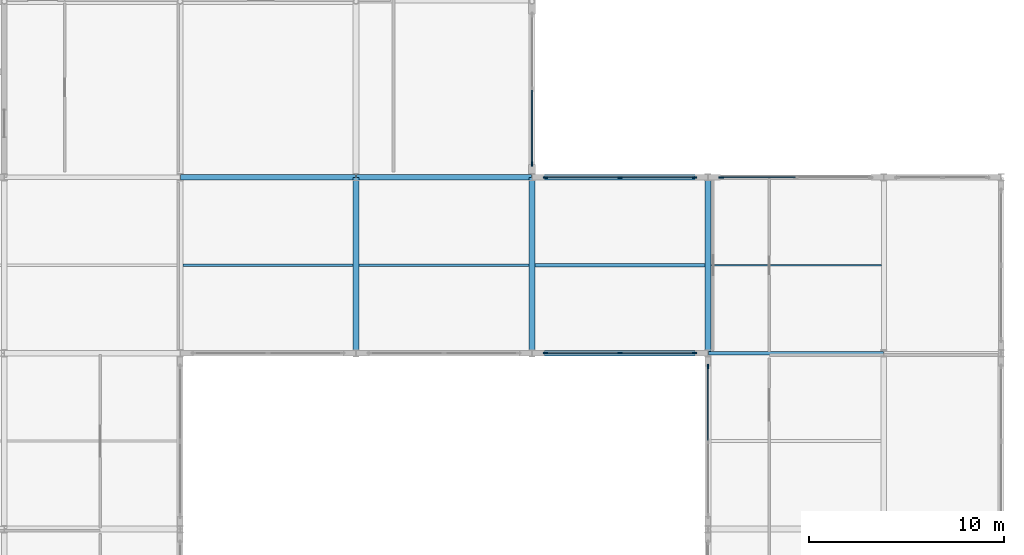
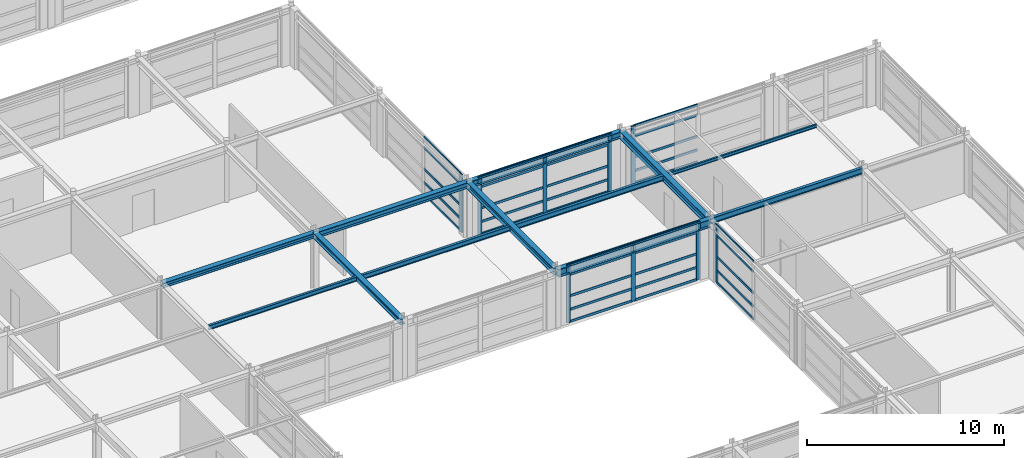
# One storey, part 44 of 79: 44 members, 12 beams, 5 elements without a shape of their own.
"""IFC4 building model written with IfcOpenShell, lengths in metres."""

from ifc_helpers import new_model, si_unit, direction, frame, origin, origin_2d, place, context, subcontext, project, spatial, rectangle, i_section, extrude, material, material_profile, profile_set, type_object, element, aggregate, save


model = new_model("IFC4")

# Units and contexts
model_context = context("Model", 3, precision=1e-05, world=origin(), true_north=direction((0.0, 1.0)))
body_context = subcontext(model_context, "Body", "Model", "MODEL_VIEW")
ifc_project = project(units=[si_unit("LENGTHUNIT", "METRE"), si_unit("AREAUNIT", "SQUARE_METRE"), si_unit("VOLUMEUNIT", "CUBIC_METRE"), si_unit("PLANEANGLEUNIT", "RADIAN"), si_unit("MASSUNIT", "GRAM", prefix="KILO")], contexts=[model_context])

# Site, building, storey
site_placement = place(None, origin())
site = spatial("IfcSite", under=ifc_project, at=site_placement, CompositionType="ELEMENT")
building_placement = place(site_placement, origin())
building = spatial("IfcBuilding", under=site, at=building_placement, Name="Palais des Congres Ocreval", CompositionType="ELEMENT")
storey_placement = place(building_placement, frame((0.0, 0.0, 4.320068359375)))
storey = spatial("IfcBuildingStorey", under=building, at=storey_placement, Name="L01", CompositionType="ELEMENT", Elevation=4.320068359375)

# Beam
ifc_material_1 = material(Name="Steel S355", Category="steel")
ifc_material_profile_1 = material_profile(ifc_material_1, i_section(OverallWidth=0.169921875, OverallDepth=0.360107421875, WebThickness=0.008056640625, FlangeThickness=0.0126953125, at=origin_2d()), Name="IPE 360")
ifc_profile_set_1 = profile_set([ifc_material_profile_1], Name="Steel S355")
beam_type_1 = type_object("IfcBeamType", Name="Composite Beam IPE 360 Steel S355", PredefinedType="BEAM", material=ifc_profile_set_1)
beam_1_placement = place(storey_placement, frame((153.02001953125, 36.0, 3.39990234375), z_axis=(1.0, 0.0, 0.0), x_axis=(0.0, 1.0, 0.0)))
element("IfcBeam", 1, at=beam_1_placement, inside=storey, type_object=beam_type_1, Name="Beam B01 L01", PredefinedType="BEAM", context=body_context, shape_type="SweptSolid", body=[
    extrude(i_section(OverallWidth=0.169921875, OverallDepth=0.360107421875, WebThickness=0.008056640625, FlangeThickness=0.0126953125, at=origin_2d()), origin(), (0.0, 0.0, 1.0), 8.9599609375),
])

# Curtain wall, member
ifc_material_2 = material(Name="Anodized bronze aluminium and low-E glass", Category="glass")
curtain_wall_type = type_object("IfcCurtainWallType", Name="Unitised Curtain Wall 7900x3660", PredefinedType="USERDEFINED", material=ifc_material_2)
curtain_wall_1_placement = place(storey_placement, origin())
curtain_wall_1 = element("IfcCurtainWall", 2, at=curtain_wall_1_placement, inside=storey, type_object=curtain_wall_type, Name="Unitised Curtain Wall CW02 L01", ObjectType="UNITISED CURTAIN WALL", PredefinedType="USERDEFINED")
ifc_material_3 = material(Name="Anodized bronze aluminium", Category="aluminium")
ifc_material_profile_2 = material_profile(ifc_material_3, rectangle(XDim=0.074951171875, YDim=0.239990234375, at=origin_2d()), Name="ALU 75x240")
ifc_profile_set_2 = profile_set([ifc_material_profile_2], Name="Anodized bronze aluminium")
member_type_1 = type_object("IfcMemberType", Name="Curtain Wall Mullion ALU 75x240", PredefinedType="MULLION", material=ifc_profile_set_2)
member_1_placement = place(storey_placement, frame((144.0, 45.6875, 0.0), z_axis=(0.0, 0.0, 1.0), x_axis=(1.0, 0.0, 0.0)))
member_1 = element("IfcMember", 3, at=member_1_placement, type_object=member_type_1, Name="Curtain Wall Mullion ML01", PredefinedType="MULLION", context=body_context, shape_type="SweptSolid", body=[
    extrude(rectangle(XDim=0.074951171875, YDim=0.239990234375, at=origin_2d()), origin(), (0.0, 0.0, 1.0), 3.58984375),
])

# Curtain wall, members
curtain_wall_2_placement = place(storey_placement, origin())
curtain_wall_2 = element("IfcCurtainWall", 4, at=curtain_wall_2_placement, inside=storey, type_object=curtain_wall_type, Name="Unitised Curtain Wall CW02 L01", ObjectType="UNITISED CURTAIN WALL", PredefinedType="USERDEFINED")
member_2_placement = place(storey_placement, frame((144.6875, 45.0, 0.0), z_axis=(0.0, 0.0, 1.0), x_axis=(0.0, 1.0, 0.0)))
member_2 = element("IfcMember", 5, at=member_2_placement, type_object=member_type_1, Name="Curtain Wall Mullion ML01", PredefinedType="MULLION", context=body_context, shape_type="SweptSolid", body=[
    extrude(rectangle(XDim=0.074951171875, YDim=0.239990234375, at=origin_2d()), origin(), (0.0, 0.0, 1.0), 3.599853515625),
])
member_3_placement = place(storey_placement, frame((148.5, 45.0, 0.0), z_axis=(0.0, 0.0, 1.0), x_axis=(0.0, 1.0, 0.0)))
member_3 = element("IfcMember", 6, at=member_3_placement, type_object=member_type_1, Name="Curtain Wall Mullion ML01", PredefinedType="MULLION", context=body_context, shape_type="SweptSolid", body=[
    extrude(rectangle(XDim=0.074951171875, YDim=0.239990234375, at=origin_2d()), origin(), (0.0, 0.0, 1.0), 3.599853515625),
])
member_4_placement = place(storey_placement, frame((152.3125, 45.0, 0.0), z_axis=(0.0, 0.0, 1.0), x_axis=(0.0, 1.0, 0.0)))
member_4 = element("IfcMember", 7, at=member_4_placement, type_object=member_type_1, Name="Curtain Wall Mullion ML01", PredefinedType="MULLION", context=body_context, shape_type="SweptSolid", body=[
    extrude(rectangle(XDim=0.074951171875, YDim=0.239990234375, at=origin_2d()), origin(), (0.0, 0.0, 1.0), 3.599853515625),
])

# Curtain wall, member
curtain_wall_3_placement = place(storey_placement, origin())
curtain_wall_3 = element("IfcCurtainWall", 8, at=curtain_wall_3_placement, inside=storey, type_object=curtain_wall_type, Name="Unitised Curtain Wall CW02 L01", ObjectType="UNITISED CURTAIN WALL", PredefinedType="USERDEFINED")
member_5_placement = place(storey_placement, frame((153.6875, 45.0, 0.0), z_axis=(0.0, 0.0, 1.0), x_axis=(0.0, 1.0, 0.0)))
member_5 = element("IfcMember", 9, at=member_5_placement, type_object=member_type_1, Name="Curtain Wall Mullion ML01", PredefinedType="MULLION", context=body_context, shape_type="SweptSolid", body=[
    extrude(rectangle(XDim=0.074951171875, YDim=0.239990234375, at=origin_2d()), origin(), (0.0, 0.0, 1.0), 3.599853515625),
])

curtain_wall_4_placement = place(storey_placement, origin())
curtain_wall_4 = element("IfcCurtainWall", 10, at=curtain_wall_4_placement, inside=storey, type_object=curtain_wall_type, Name="Unitised Curtain Wall CW02 L01", ObjectType="UNITISED CURTAIN WALL", PredefinedType="USERDEFINED")
member_6_placement = place(storey_placement, frame((153.0, 35.3125, 0.0), z_axis=(0.0, 0.0, 1.0), x_axis=(-1.0, 0.0, 0.0)))
member_6 = element("IfcMember", 11, at=member_6_placement, type_object=member_type_1, Name="Curtain Wall Mullion ML01", PredefinedType="MULLION", context=body_context, shape_type="SweptSolid", body=[
    extrude(rectangle(XDim=0.074951171875, YDim=0.239990234375, at=origin_2d()), origin(), (0.0, 0.0, 1.0), 3.599853515625),
])

# Curtain wall, members
curtain_wall_5_placement = place(storey_placement, origin())
curtain_wall_5 = element("IfcCurtainWall", 12, at=curtain_wall_5_placement, inside=storey, type_object=curtain_wall_type, Name="Unitised Curtain Wall CW02 L01", ObjectType="UNITISED CURTAIN WALL", PredefinedType="USERDEFINED")
member_7_placement = place(storey_placement, frame((152.3125, 36.0, 0.0), z_axis=(0.0, 0.0, 1.0), x_axis=(0.0, -1.0, 0.0)))
member_7 = element("IfcMember", 13, at=member_7_placement, type_object=member_type_1, Name="Curtain Wall Mullion ML01", PredefinedType="MULLION", context=body_context, shape_type="SweptSolid", body=[
    extrude(rectangle(XDim=0.074951171875, YDim=0.239990234375, at=origin_2d()), origin(), (0.0, 0.0, 1.0), 3.599853515625),
])
member_8_placement = place(storey_placement, frame((148.5, 36.0, 0.0), z_axis=(0.0, 0.0, 1.0), x_axis=(0.0, -1.0, 0.0)))
member_8 = element("IfcMember", 14, at=member_8_placement, type_object=member_type_1, Name="Curtain Wall Mullion ML01", PredefinedType="MULLION", context=body_context, shape_type="SweptSolid", body=[
    extrude(rectangle(XDim=0.074951171875, YDim=0.239990234375, at=origin_2d()), origin(), (0.0, 0.0, 1.0), 3.599853515625),
])
member_9_placement = place(storey_placement, frame((144.6875, 36.0, 0.0), z_axis=(0.0, 0.0, 1.0), x_axis=(0.0, -1.0, 0.0)))
member_9 = element("IfcMember", 15, at=member_9_placement, type_object=member_type_1, Name="Curtain Wall Mullion ML01", PredefinedType="MULLION", context=body_context, shape_type="SweptSolid", body=[
    extrude(rectangle(XDim=0.074951171875, YDim=0.239990234375, at=origin_2d()), origin(), (0.0, 0.0, 1.0), 3.599853515625),
])

# Member
ifc_material_profile_3 = material_profile(ifc_material_3, rectangle(XDim=0.06005859375, YDim=0.14990234375, at=origin_2d()), Name="ALU 60x150")
ifc_profile_set_3 = profile_set([ifc_material_profile_3], Name="Anodized bronze aluminium")
member_type_2 = type_object("IfcMemberType", Name="Curtain Wall Transom ALU 60x150", PredefinedType="USERDEFINED", material=ifc_profile_set_3)
member_10_placement = place(storey_placement, frame((144.0, 49.46240234375, 0.030029296875), z_axis=(0.0, -1.0, 0.0), x_axis=(1.0, 0.0, 0.0)))
member_10 = element("IfcMember", 16, at=member_10_placement, type_object=member_type_2, Name="Curtain Wall Transom TR01", ObjectType="TRANSOM", PredefinedType="USERDEFINED", context=body_context, shape_type="SweptSolid", body=[
    extrude(rectangle(XDim=0.06005859375, YDim=0.14990234375, at=origin_2d()), origin(), (0.0, 0.0, 1.0), 3.7373046875),
])

member_11_placement = place(storey_placement, frame((144.0, 49.46240234375, 0.780029296875), z_axis=(0.0, -1.0, 0.0), x_axis=(1.0, 0.0, 0.0)))
member_11 = element("IfcMember", 17, at=member_11_placement, type_object=member_type_2, Name="Curtain Wall Transom TR01", ObjectType="TRANSOM", PredefinedType="USERDEFINED", context=body_context, shape_type="SweptSolid", body=[
    extrude(rectangle(XDim=0.06005859375, YDim=0.14990234375, at=origin_2d()), origin(), (0.0, 0.0, 1.0), 3.7373046875),
])

member_12_placement = place(storey_placement, frame((144.0, 49.46240234375, 1.616943359375), z_axis=(0.0, -1.0, 0.0), x_axis=(1.0, 0.0, 0.0)))
member_12 = element("IfcMember", 18, at=member_12_placement, type_object=member_type_2, Name="Curtain Wall Transom TR01", ObjectType="TRANSOM", PredefinedType="USERDEFINED", context=body_context, shape_type="SweptSolid", body=[
    extrude(rectangle(XDim=0.06005859375, YDim=0.14990234375, at=origin_2d()), origin(), (0.0, 0.0, 1.0), 3.7373046875),
])

member_13_placement = place(storey_placement, frame((144.0, 49.46240234375, 2.93994140625), z_axis=(0.0, -1.0, 0.0), x_axis=(1.0, 0.0, 0.0)))
member_13 = element("IfcMember", 19, at=member_13_placement, type_object=member_type_2, Name="Curtain Wall Transom TR01", ObjectType="TRANSOM", PredefinedType="USERDEFINED", context=body_context, shape_type="SweptSolid", body=[
    extrude(rectangle(XDim=0.06005859375, YDim=0.14990234375, at=origin_2d()), origin(), (0.0, 0.0, 1.0), 3.7373046875),
])

member_14_placement = place(storey_placement, frame((144.0, 49.46240234375, 3.559814453125), z_axis=(0.0, -1.0, 0.0), x_axis=(1.0, 0.0, 0.0)))
member_14 = element("IfcMember", 20, at=member_14_placement, type_object=member_type_2, Name="Curtain Wall Transom TR01", ObjectType="TRANSOM", PredefinedType="USERDEFINED", context=body_context, shape_type="SweptSolid", body=[
    extrude(rectangle(XDim=0.06005859375, YDim=0.14990234375, at=origin_2d()), origin(), (0.0, 0.0, 1.0), 3.7373046875),
])

aggregate(curtain_wall_1, [member_1, member_10, member_11, member_12, member_13, member_14])

member_15_placement = place(storey_placement, frame((144.72509765625, 45.0, 0.030029296875), z_axis=(1.0, 0.0, 0.0), x_axis=(0.0, 1.0, 0.0)))
member_15 = element("IfcMember", 21, at=member_15_placement, type_object=member_type_2, Name="Curtain Wall Transom TR01", ObjectType="TRANSOM", PredefinedType="USERDEFINED", context=body_context, shape_type="SweptSolid", body=[
    extrude(rectangle(XDim=0.06005859375, YDim=0.14990234375, at=origin_2d()), origin(), (0.0, 0.0, 1.0), 3.7373046875),
])

member_16_placement = place(storey_placement, frame((144.72509765625, 45.0, 0.780029296875), z_axis=(1.0, 0.0, 0.0), x_axis=(0.0, 1.0, 0.0)))
member_16 = element("IfcMember", 22, at=member_16_placement, type_object=member_type_2, Name="Curtain Wall Transom TR01", ObjectType="TRANSOM", PredefinedType="USERDEFINED", context=body_context, shape_type="SweptSolid", body=[
    extrude(rectangle(XDim=0.06005859375, YDim=0.14990234375, at=origin_2d()), origin(), (0.0, 0.0, 1.0), 3.7373046875),
])

member_17_placement = place(storey_placement, frame((144.72509765625, 45.0, 1.622314453125), z_axis=(1.0, 0.0, 0.0), x_axis=(0.0, 1.0, 0.0)))
member_17 = element("IfcMember", 23, at=member_17_placement, type_object=member_type_2, Name="Curtain Wall Transom TR01", ObjectType="TRANSOM", PredefinedType="USERDEFINED", context=body_context, shape_type="SweptSolid", body=[
    extrude(rectangle(XDim=0.06005859375, YDim=0.14990234375, at=origin_2d()), origin(), (0.0, 0.0, 1.0), 3.7373046875),
])

member_18_placement = place(storey_placement, frame((144.72509765625, 45.0, 2.949951171875), z_axis=(1.0, 0.0, 0.0), x_axis=(0.0, 1.0, 0.0)))
member_18 = element("IfcMember", 24, at=member_18_placement, type_object=member_type_2, Name="Curtain Wall Transom TR01", ObjectType="TRANSOM", PredefinedType="USERDEFINED", context=body_context, shape_type="SweptSolid", body=[
    extrude(rectangle(XDim=0.06005859375, YDim=0.14990234375, at=origin_2d()), origin(), (0.0, 0.0, 1.0), 3.7373046875),
])

member_19_placement = place(storey_placement, frame((144.72509765625, 45.0, 3.56982421875), z_axis=(1.0, 0.0, 0.0), x_axis=(0.0, 1.0, 0.0)))
member_19 = element("IfcMember", 25, at=member_19_placement, type_object=member_type_2, Name="Curtain Wall Transom TR01", ObjectType="TRANSOM", PredefinedType="USERDEFINED", context=body_context, shape_type="SweptSolid", body=[
    extrude(rectangle(XDim=0.06005859375, YDim=0.14990234375, at=origin_2d()), origin(), (0.0, 0.0, 1.0), 3.7373046875),
])

member_20_placement = place(storey_placement, frame((148.53759765625, 45.0, 0.030029296875), z_axis=(1.0, 0.0, 0.0), x_axis=(0.0, 1.0, 0.0)))
member_20 = element("IfcMember", 26, at=member_20_placement, type_object=member_type_2, Name="Curtain Wall Transom TR01", ObjectType="TRANSOM", PredefinedType="USERDEFINED", context=body_context, shape_type="SweptSolid", body=[
    extrude(rectangle(XDim=0.06005859375, YDim=0.14990234375, at=origin_2d()), origin(), (0.0, 0.0, 1.0), 3.7373046875),
])

member_21_placement = place(storey_placement, frame((148.53759765625, 45.0, 0.780029296875), z_axis=(1.0, 0.0, 0.0), x_axis=(0.0, 1.0, 0.0)))
member_21 = element("IfcMember", 27, at=member_21_placement, type_object=member_type_2, Name="Curtain Wall Transom TR01", ObjectType="TRANSOM", PredefinedType="USERDEFINED", context=body_context, shape_type="SweptSolid", body=[
    extrude(rectangle(XDim=0.06005859375, YDim=0.14990234375, at=origin_2d()), origin(), (0.0, 0.0, 1.0), 3.7373046875),
])

member_22_placement = place(storey_placement, frame((148.53759765625, 45.0, 1.622314453125), z_axis=(1.0, 0.0, 0.0), x_axis=(0.0, 1.0, 0.0)))
member_22 = element("IfcMember", 28, at=member_22_placement, type_object=member_type_2, Name="Curtain Wall Transom TR01", ObjectType="TRANSOM", PredefinedType="USERDEFINED", context=body_context, shape_type="SweptSolid", body=[
    extrude(rectangle(XDim=0.06005859375, YDim=0.14990234375, at=origin_2d()), origin(), (0.0, 0.0, 1.0), 3.7373046875),
])

member_23_placement = place(storey_placement, frame((148.53759765625, 45.0, 2.949951171875), z_axis=(1.0, 0.0, 0.0), x_axis=(0.0, 1.0, 0.0)))
member_23 = element("IfcMember", 29, at=member_23_placement, type_object=member_type_2, Name="Curtain Wall Transom TR01", ObjectType="TRANSOM", PredefinedType="USERDEFINED", context=body_context, shape_type="SweptSolid", body=[
    extrude(rectangle(XDim=0.06005859375, YDim=0.14990234375, at=origin_2d()), origin(), (0.0, 0.0, 1.0), 3.7373046875),
])

member_24_placement = place(storey_placement, frame((148.53759765625, 45.0, 3.56982421875), z_axis=(1.0, 0.0, 0.0), x_axis=(0.0, 1.0, 0.0)))
member_24 = element("IfcMember", 30, at=member_24_placement, type_object=member_type_2, Name="Curtain Wall Transom TR01", ObjectType="TRANSOM", PredefinedType="USERDEFINED", context=body_context, shape_type="SweptSolid", body=[
    extrude(rectangle(XDim=0.06005859375, YDim=0.14990234375, at=origin_2d()), origin(), (0.0, 0.0, 1.0), 3.7373046875),
])

aggregate(curtain_wall_2, [member_2, member_3, member_4, member_15, member_16, member_17, member_18, member_19, member_20, member_21, member_22, member_23, member_24])

member_25_placement = place(storey_placement, frame((153.72509765625, 45.0, 0.030029296875), z_axis=(1.0, 0.0, 0.0), x_axis=(0.0, 1.0, 0.0)))
member_25 = element("IfcMember", 31, at=member_25_placement, type_object=member_type_2, Name="Curtain Wall Transom TR01", ObjectType="TRANSOM", PredefinedType="USERDEFINED", context=body_context, shape_type="SweptSolid", body=[
    extrude(rectangle(XDim=0.06005859375, YDim=0.14990234375, at=origin_2d()), origin(), (0.0, 0.0, 1.0), 3.7373046875),
])

member_26_placement = place(storey_placement, frame((153.72509765625, 45.0, 0.780029296875), z_axis=(1.0, 0.0, 0.0), x_axis=(0.0, 1.0, 0.0)))
member_26 = element("IfcMember", 32, at=member_26_placement, type_object=member_type_2, Name="Curtain Wall Transom TR01", ObjectType="TRANSOM", PredefinedType="USERDEFINED", context=body_context, shape_type="SweptSolid", body=[
    extrude(rectangle(XDim=0.06005859375, YDim=0.14990234375, at=origin_2d()), origin(), (0.0, 0.0, 1.0), 3.7373046875),
])

member_27_placement = place(storey_placement, frame((153.72509765625, 45.0, 1.622314453125), z_axis=(1.0, 0.0, 0.0), x_axis=(0.0, 1.0, 0.0)))
member_27 = element("IfcMember", 33, at=member_27_placement, type_object=member_type_2, Name="Curtain Wall Transom TR01", ObjectType="TRANSOM", PredefinedType="USERDEFINED", context=body_context, shape_type="SweptSolid", body=[
    extrude(rectangle(XDim=0.06005859375, YDim=0.14990234375, at=origin_2d()), origin(), (0.0, 0.0, 1.0), 3.7373046875),
])

member_28_placement = place(storey_placement, frame((153.72509765625, 45.0, 2.949951171875), z_axis=(1.0, 0.0, 0.0), x_axis=(0.0, 1.0, 0.0)))
member_28 = element("IfcMember", 34, at=member_28_placement, type_object=member_type_2, Name="Curtain Wall Transom TR01", ObjectType="TRANSOM", PredefinedType="USERDEFINED", context=body_context, shape_type="SweptSolid", body=[
    extrude(rectangle(XDim=0.06005859375, YDim=0.14990234375, at=origin_2d()), origin(), (0.0, 0.0, 1.0), 3.7373046875),
])

member_29_placement = place(storey_placement, frame((153.72509765625, 45.0, 3.56982421875), z_axis=(1.0, 0.0, 0.0), x_axis=(0.0, 1.0, 0.0)))
member_29 = element("IfcMember", 35, at=member_29_placement, type_object=member_type_2, Name="Curtain Wall Transom TR01", ObjectType="TRANSOM", PredefinedType="USERDEFINED", context=body_context, shape_type="SweptSolid", body=[
    extrude(rectangle(XDim=0.06005859375, YDim=0.14990234375, at=origin_2d()), origin(), (0.0, 0.0, 1.0), 3.7373046875),
])

aggregate(curtain_wall_3, [member_5, member_25, member_26, member_27, member_28, member_29])

member_30_placement = place(storey_placement, frame((153.0, 31.53759765625, 0.030029296875), z_axis=(0.0, 1.0, 0.0), x_axis=(-1.0, 0.0, 0.0)))
member_30 = element("IfcMember", 36, at=member_30_placement, type_object=member_type_2, Name="Curtain Wall Transom TR01", ObjectType="TRANSOM", PredefinedType="USERDEFINED", context=body_context, shape_type="SweptSolid", body=[
    extrude(rectangle(XDim=0.06005859375, YDim=0.14990234375, at=origin_2d()), origin(), (0.0, 0.0, 1.0), 3.7373046875),
])

member_31_placement = place(storey_placement, frame((153.0, 31.53759765625, 0.780029296875), z_axis=(0.0, 1.0, 0.0), x_axis=(-1.0, 0.0, 0.0)))
member_31 = element("IfcMember", 37, at=member_31_placement, type_object=member_type_2, Name="Curtain Wall Transom TR01", ObjectType="TRANSOM", PredefinedType="USERDEFINED", context=body_context, shape_type="SweptSolid", body=[
    extrude(rectangle(XDim=0.06005859375, YDim=0.14990234375, at=origin_2d()), origin(), (0.0, 0.0, 1.0), 3.7373046875),
])

member_32_placement = place(storey_placement, frame((153.0, 31.53759765625, 1.622314453125), z_axis=(0.0, 1.0, 0.0), x_axis=(-1.0, 0.0, 0.0)))
member_32 = element("IfcMember", 38, at=member_32_placement, type_object=member_type_2, Name="Curtain Wall Transom TR01", ObjectType="TRANSOM", PredefinedType="USERDEFINED", context=body_context, shape_type="SweptSolid", body=[
    extrude(rectangle(XDim=0.06005859375, YDim=0.14990234375, at=origin_2d()), origin(), (0.0, 0.0, 1.0), 3.7373046875),
])

member_33_placement = place(storey_placement, frame((153.0, 31.53759765625, 2.949951171875), z_axis=(0.0, 1.0, 0.0), x_axis=(-1.0, 0.0, 0.0)))
member_33 = element("IfcMember", 39, at=member_33_placement, type_object=member_type_2, Name="Curtain Wall Transom TR01", ObjectType="TRANSOM", PredefinedType="USERDEFINED", context=body_context, shape_type="SweptSolid", body=[
    extrude(rectangle(XDim=0.06005859375, YDim=0.14990234375, at=origin_2d()), origin(), (0.0, 0.0, 1.0), 3.7373046875),
])

member_34_placement = place(storey_placement, frame((153.0, 31.53759765625, 3.56982421875), z_axis=(0.0, 1.0, 0.0), x_axis=(-1.0, 0.0, 0.0)))
member_34 = element("IfcMember", 40, at=member_34_placement, type_object=member_type_2, Name="Curtain Wall Transom TR01", ObjectType="TRANSOM", PredefinedType="USERDEFINED", context=body_context, shape_type="SweptSolid", body=[
    extrude(rectangle(XDim=0.06005859375, YDim=0.14990234375, at=origin_2d()), origin(), (0.0, 0.0, 1.0), 3.7373046875),
])

aggregate(curtain_wall_4, [member_6, member_30, member_31, member_32, member_33, member_34])

member_35_placement = place(storey_placement, frame((152.27490234375, 36.0, 0.030029296875), z_axis=(-1.0, 0.0, 0.0), x_axis=(0.0, -1.0, 0.0)))
member_35 = element("IfcMember", 41, at=member_35_placement, type_object=member_type_2, Name="Curtain Wall Transom TR01", ObjectType="TRANSOM", PredefinedType="USERDEFINED", context=body_context, shape_type="SweptSolid", body=[
    extrude(rectangle(XDim=0.06005859375, YDim=0.14990234375, at=origin_2d()), origin(), (0.0, 0.0, 1.0), 3.7373046875),
])

member_36_placement = place(storey_placement, frame((152.27490234375, 36.0, 0.780029296875), z_axis=(-1.0, 0.0, 0.0), x_axis=(0.0, -1.0, 0.0)))
member_36 = element("IfcMember", 42, at=member_36_placement, type_object=member_type_2, Name="Curtain Wall Transom TR01", ObjectType="TRANSOM", PredefinedType="USERDEFINED", context=body_context, shape_type="SweptSolid", body=[
    extrude(rectangle(XDim=0.06005859375, YDim=0.14990234375, at=origin_2d()), origin(), (0.0, 0.0, 1.0), 3.7373046875),
])

member_37_placement = place(storey_placement, frame((152.27490234375, 36.0, 1.622314453125), z_axis=(-1.0, 0.0, 0.0), x_axis=(0.0, -1.0, 0.0)))
member_37 = element("IfcMember", 43, at=member_37_placement, type_object=member_type_2, Name="Curtain Wall Transom TR01", ObjectType="TRANSOM", PredefinedType="USERDEFINED", context=body_context, shape_type="SweptSolid", body=[
    extrude(rectangle(XDim=0.06005859375, YDim=0.14990234375, at=origin_2d()), origin(), (0.0, 0.0, 1.0), 3.7373046875),
])

member_38_placement = place(storey_placement, frame((152.27490234375, 36.0, 2.949951171875), z_axis=(-1.0, 0.0, 0.0), x_axis=(0.0, -1.0, 0.0)))
member_38 = element("IfcMember", 44, at=member_38_placement, type_object=member_type_2, Name="Curtain Wall Transom TR01", ObjectType="TRANSOM", PredefinedType="USERDEFINED", context=body_context, shape_type="SweptSolid", body=[
    extrude(rectangle(XDim=0.06005859375, YDim=0.14990234375, at=origin_2d()), origin(), (0.0, 0.0, 1.0), 3.7373046875),
])

member_39_placement = place(storey_placement, frame((152.27490234375, 36.0, 3.56982421875), z_axis=(-1.0, 0.0, 0.0), x_axis=(0.0, -1.0, 0.0)))
member_39 = element("IfcMember", 45, at=member_39_placement, type_object=member_type_2, Name="Curtain Wall Transom TR01", ObjectType="TRANSOM", PredefinedType="USERDEFINED", context=body_context, shape_type="SweptSolid", body=[
    extrude(rectangle(XDim=0.06005859375, YDim=0.14990234375, at=origin_2d()), origin(), (0.0, 0.0, 1.0), 3.7373046875),
])

member_40_placement = place(storey_placement, frame((148.46240234375, 36.0, 0.030029296875), z_axis=(-1.0, 0.0, 0.0), x_axis=(0.0, -1.0, 0.0)))
member_40 = element("IfcMember", 46, at=member_40_placement, type_object=member_type_2, Name="Curtain Wall Transom TR01", ObjectType="TRANSOM", PredefinedType="USERDEFINED", context=body_context, shape_type="SweptSolid", body=[
    extrude(rectangle(XDim=0.06005859375, YDim=0.14990234375, at=origin_2d()), origin(), (0.0, 0.0, 1.0), 3.7373046875),
])

member_41_placement = place(storey_placement, frame((148.46240234375, 36.0, 0.780029296875), z_axis=(-1.0, 0.0, 0.0), x_axis=(0.0, -1.0, 0.0)))
member_41 = element("IfcMember", 47, at=member_41_placement, type_object=member_type_2, Name="Curtain Wall Transom TR01", ObjectType="TRANSOM", PredefinedType="USERDEFINED", context=body_context, shape_type="SweptSolid", body=[
    extrude(rectangle(XDim=0.06005859375, YDim=0.14990234375, at=origin_2d()), origin(), (0.0, 0.0, 1.0), 3.7373046875),
])

member_42_placement = place(storey_placement, frame((148.46240234375, 36.0, 1.622314453125), z_axis=(-1.0, 0.0, 0.0), x_axis=(0.0, -1.0, 0.0)))
member_42 = element("IfcMember", 48, at=member_42_placement, type_object=member_type_2, Name="Curtain Wall Transom TR01", ObjectType="TRANSOM", PredefinedType="USERDEFINED", context=body_context, shape_type="SweptSolid", body=[
    extrude(rectangle(XDim=0.06005859375, YDim=0.14990234375, at=origin_2d()), origin(), (0.0, 0.0, 1.0), 3.7373046875),
])

member_43_placement = place(storey_placement, frame((148.46240234375, 36.0, 2.949951171875), z_axis=(-1.0, 0.0, 0.0), x_axis=(0.0, -1.0, 0.0)))
member_43 = element("IfcMember", 49, at=member_43_placement, type_object=member_type_2, Name="Curtain Wall Transom TR01", ObjectType="TRANSOM", PredefinedType="USERDEFINED", context=body_context, shape_type="SweptSolid", body=[
    extrude(rectangle(XDim=0.06005859375, YDim=0.14990234375, at=origin_2d()), origin(), (0.0, 0.0, 1.0), 3.7373046875),
])

member_44_placement = place(storey_placement, frame((148.46240234375, 36.0, 3.56982421875), z_axis=(-1.0, 0.0, 0.0), x_axis=(0.0, -1.0, 0.0)))
member_44 = element("IfcMember", 50, at=member_44_placement, type_object=member_type_2, Name="Curtain Wall Transom TR01", ObjectType="TRANSOM", PredefinedType="USERDEFINED", context=body_context, shape_type="SweptSolid", body=[
    extrude(rectangle(XDim=0.06005859375, YDim=0.14990234375, at=origin_2d()), origin(), (0.0, 0.0, 1.0), 3.7373046875),
])

aggregate(curtain_wall_5, [member_7, member_8, member_9, member_35, member_36, member_37, member_38, member_39, member_40, member_41, member_42, member_43, member_44])

# Beams
ifc_material_profile_4 = material_profile(ifc_material_1, i_section(OverallWidth=0.300048828125, OverallDepth=0.300048828125, WebThickness=0.010986328125, FlangeThickness=0.01904296875, at=origin_2d()), Name="HEB 300")
ifc_profile_set_4 = profile_set([ifc_material_profile_4], Name="Steel S355")
beam_type_2 = type_object("IfcBeamType", Name="Perimeter Spandrel HEB 300 Steel S355", PredefinedType="SPANDREL", material=ifc_profile_set_4)
beam_2_placement = place(storey_placement, frame((126.02001953125, 45.0, 3.429931640625), z_axis=(1.0, 0.0, 0.0), x_axis=(0.0, 1.0, 0.0)))
element("IfcBeam", 51, at=beam_2_placement, inside=storey, type_object=beam_type_2, Name="Beam SP02 L01", PredefinedType="SPANDREL", context=body_context, shape_type="SweptSolid", body=[
    extrude(i_section(OverallWidth=0.300048828125, OverallDepth=0.300048828125, WebThickness=0.010986328125, FlangeThickness=0.01904296875, at=origin_2d()), origin(), (0.0, 0.0, 1.0), 8.9599609375),
])
ifc_material_profile_5 = material_profile(ifc_material_1, i_section(OverallWidth=0.300048828125, OverallDepth=0.360107421875, WebThickness=0.012451171875, FlangeThickness=0.0224609375, at=origin_2d()), Name="HEB 360")
ifc_profile_set_5 = profile_set([ifc_material_profile_5], Name="Steel S355")
beam_type_3 = type_object("IfcBeamType", Name="Perimeter Spandrel HEB 360 Steel S355", PredefinedType="SPANDREL", material=ifc_profile_set_5)
beam_3_placement = place(storey_placement, frame((135.02001953125, 45.0, 3.39990234375), z_axis=(1.0, 0.0, 0.0), x_axis=(0.0, 1.0, 0.0)))
element("IfcBeam", 52, at=beam_3_placement, inside=storey, type_object=beam_type_3, Name="Beam SP03 L01", PredefinedType="SPANDREL", context=body_context, shape_type="SweptSolid", body=[
    extrude(i_section(OverallWidth=0.300048828125, OverallDepth=0.360107421875, WebThickness=0.012451171875, FlangeThickness=0.0224609375, at=origin_2d()), origin(), (0.0, 0.0, 1.0), 8.9599609375),
])
ifc_material_profile_6 = material_profile(ifc_material_1, i_section(OverallWidth=0.300048828125, OverallDepth=0.39990234375, WebThickness=0.013427734375, FlangeThickness=0.02392578125, at=origin_2d()), Name="HEB 400")
ifc_profile_set_6 = profile_set([ifc_material_profile_6], Name="Steel S355")
beam_type_4 = type_object("IfcBeamType", Name="Perimeter Spandrel HEB 400 Steel S355", PredefinedType="SPANDREL", material=ifc_profile_set_6)
beam_4_placement = place(storey_placement, frame((144.02001953125, 45.0, 3.3798828125), z_axis=(1.0, 0.0, 0.0), x_axis=(0.0, 1.0, 0.0)))
element("IfcBeam", 53, at=beam_4_placement, inside=storey, type_object=beam_type_4, Name="Beam SP04 L01", PredefinedType="SPANDREL", context=body_context, shape_type="SweptSolid", body=[
    extrude(i_section(OverallWidth=0.300048828125, OverallDepth=0.39990234375, WebThickness=0.013427734375, FlangeThickness=0.02392578125, at=origin_2d()), origin(), (0.0, 0.0, 1.0), 8.9599609375),
])
ifc_material_profile_7 = material_profile(ifc_material_1, i_section(OverallWidth=0.300048828125, OverallDepth=0.330078125, WebThickness=0.009521484375, FlangeThickness=0.0166015625, at=origin_2d()), Name="HEA 340")
ifc_profile_set_7 = profile_set([ifc_material_profile_7], Name="Steel S355")
beam_type_5 = type_object("IfcBeamType", Name="Primary Beam HEA 340 Steel S355", PredefinedType="BEAM", material=ifc_profile_set_7)
beam_5_placement = place(storey_placement, frame((135.0, 36.02001953125, 3.4150390625), z_axis=(0.0, 1.0, 0.0), x_axis=(-1.0, 0.0, 0.0)))
element("IfcBeam", 54, at=beam_5_placement, inside=storey, type_object=beam_type_5, Name="Girder B09 L01", PredefinedType="BEAM", context=body_context, shape_type="SweptSolid", body=[
    extrude(i_section(OverallWidth=0.300048828125, OverallDepth=0.330078125, WebThickness=0.009521484375, FlangeThickness=0.0166015625, at=origin_2d()), origin(), (0.0, 0.0, 1.0), 8.9599609375),
])
ifc_material_profile_8 = material_profile(ifc_material_1, i_section(OverallWidth=0.300048828125, OverallDepth=0.389892578125, WebThickness=0.010986328125, FlangeThickness=0.01904296875, at=origin_2d()), Name="HEA 400")
ifc_profile_set_8 = profile_set([ifc_material_profile_8], Name="Steel S355")
beam_type_6 = type_object("IfcBeamType", Name="Primary Beam HEA 400 Steel S355", PredefinedType="BEAM", material=ifc_profile_set_8)
beam_6_placement = place(storey_placement, frame((144.0, 36.02001953125, 3.385009765625), z_axis=(0.0, 1.0, 0.0), x_axis=(-1.0, 0.0, 0.0)))
element("IfcBeam", 55, at=beam_6_placement, inside=storey, type_object=beam_type_6, Name="Girder B10 L01", PredefinedType="BEAM", context=body_context, shape_type="SweptSolid", body=[
    extrude(i_section(OverallWidth=0.300048828125, OverallDepth=0.389892578125, WebThickness=0.010986328125, FlangeThickness=0.01904296875, at=origin_2d()), origin(), (0.0, 0.0, 1.0), 8.9599609375),
])
ifc_material_profile_9 = material_profile(ifc_material_1, i_section(OverallWidth=0.300048828125, OverallDepth=0.43994140625, WebThickness=0.011474609375, FlangeThickness=0.02099609375, at=origin_2d()), Name="HEA 450")
ifc_profile_set_9 = profile_set([ifc_material_profile_9], Name="Steel S355")
beam_type_7 = type_object("IfcBeamType", Name="Primary Beam HEA 450 Steel S355", PredefinedType="BEAM", material=ifc_profile_set_9)
beam_7_placement = place(storey_placement, frame((153.0, 36.02001953125, 3.35986328125), z_axis=(0.0, 1.0, 0.0), x_axis=(-1.0, 0.0, 0.0)))
element("IfcBeam", 56, at=beam_7_placement, inside=storey, type_object=beam_type_7, Name="Girder B11 L01", PredefinedType="BEAM", context=body_context, shape_type="SweptSolid", body=[
    extrude(i_section(OverallWidth=0.300048828125, OverallDepth=0.43994140625, WebThickness=0.011474609375, FlangeThickness=0.02099609375, at=origin_2d()), origin(), (0.0, 0.0, 1.0), 8.9599609375),
])
ifc_material_profile_10 = material_profile(ifc_material_1, i_section(OverallWidth=0.300048828125, OverallDepth=0.489990234375, WebThickness=0.011962890625, FlangeThickness=0.02294921875, at=origin_2d()), Name="HEA 500")
ifc_profile_set_10 = profile_set([ifc_material_profile_10], Name="Steel S355")
beam_type_8 = type_object("IfcBeamType", Name="Primary Beam HEA 500 Steel S355", PredefinedType="BEAM", material=ifc_profile_set_10)
beam_8_placement = place(storey_placement, frame((144.02001953125, 36.0, 3.3349609375), z_axis=(1.0, 0.0, 0.0), x_axis=(0.0, 1.0, 0.0)))
element("IfcBeam", 57, at=beam_8_placement, inside=storey, type_object=beam_type_8, Name="Beam B12 L01", PredefinedType="BEAM", context=body_context, shape_type="SweptSolid", body=[
    extrude(i_section(OverallWidth=0.300048828125, OverallDepth=0.489990234375, WebThickness=0.011962890625, FlangeThickness=0.02294921875, at=origin_2d()), origin(), (0.0, 0.0, 1.0), 8.9599609375),
])
ifc_material_profile_11 = material_profile(ifc_material_1, i_section(OverallWidth=0.10009765625, OverallDepth=0.199951171875, WebThickness=0.005615234375, FlangeThickness=0.008544921875, at=origin_2d()), Name="IPE 200")
ifc_profile_set_11 = profile_set([ifc_material_profile_11], Name="Steel S355")
beam_type_9 = type_object("IfcBeamType", Name="Secondary Joist IPE 200 Steel S355", PredefinedType="JOIST", material=ifc_profile_set_11)
beam_9_placement = place(storey_placement, frame((153.14990234375, 40.5, 3.47998046875), z_axis=(1.0, 0.0, 0.0), x_axis=(0.0, 1.0, 0.0)))
element("IfcBeam", 58, at=beam_9_placement, inside=storey, type_object=beam_type_9, Name="Secondary Joist J01 L01", PredefinedType="JOIST", context=body_context, shape_type="SweptSolid", body=[
    extrude(i_section(OverallWidth=0.10009765625, OverallDepth=0.199951171875, WebThickness=0.005615234375, FlangeThickness=0.008544921875, at=origin_2d()), origin(), (0.0, 0.0, 1.0), 8.72021484375),
])
ifc_material_profile_12 = material_profile(ifc_material_1, i_section(OverallWidth=0.135009765625, OverallDepth=0.27001953125, WebThickness=0.006591796875, FlangeThickness=0.01025390625, at=origin_2d()), Name="IPE 270")
ifc_profile_set_12 = profile_set([ifc_material_profile_12], Name="Steel S355")
beam_type_10 = type_object("IfcBeamType", Name="Secondary Joist IPE 270 Steel S355", PredefinedType="JOIST", material=ifc_profile_set_12)
beam_10_placement = place(storey_placement, frame((126.14990234375, 40.5, 3.44482421875), z_axis=(1.0, 0.0, 0.0), x_axis=(0.0, 1.0, 0.0)))
element("IfcBeam", 59, at=beam_10_placement, inside=storey, type_object=beam_type_10, Name="Secondary Joist J04 L01", PredefinedType="JOIST", context=body_context, shape_type="SweptSolid", body=[
    extrude(i_section(OverallWidth=0.135009765625, OverallDepth=0.27001953125, WebThickness=0.006591796875, FlangeThickness=0.01025390625, at=origin_2d()), origin(), (0.0, 0.0, 1.0), 8.7001953125),
])
ifc_material_profile_13 = material_profile(ifc_material_1, i_section(OverallWidth=0.14990234375, OverallDepth=0.300048828125, WebThickness=0.007080078125, FlangeThickness=0.0107421875, at=origin_2d()), Name="IPE 300")
ifc_profile_set_13 = profile_set([ifc_material_profile_13], Name="Steel S355")
beam_type_11 = type_object("IfcBeamType", Name="Secondary Joist IPE 300 Steel S355", PredefinedType="JOIST", material=ifc_profile_set_13)
beam_11_placement = place(storey_placement, frame((135.14990234375, 40.5, 3.429931640625), z_axis=(1.0, 0.0, 0.0), x_axis=(0.0, 1.0, 0.0)))
element("IfcBeam", 60, at=beam_11_placement, inside=storey, type_object=beam_type_11, Name="Secondary Joist J05 L01", PredefinedType="JOIST", context=body_context, shape_type="SweptSolid", body=[
    extrude(i_section(OverallWidth=0.14990234375, OverallDepth=0.300048828125, WebThickness=0.007080078125, FlangeThickness=0.0107421875, at=origin_2d()), origin(), (0.0, 0.0, 1.0), 8.7001953125),
])
ifc_material_profile_14 = material_profile(ifc_material_1, i_section(OverallWidth=0.159912109375, OverallDepth=0.330078125, WebThickness=0.007568359375, FlangeThickness=0.011474609375, at=origin_2d()), Name="IPE 330")
ifc_profile_set_14 = profile_set([ifc_material_profile_14], Name="Steel S355")
beam_type_12 = type_object("IfcBeamType", Name="Secondary Joist IPE 330 Steel S355", PredefinedType="JOIST", material=ifc_profile_set_14)
beam_12_placement = place(storey_placement, frame((144.14990234375, 40.5, 3.4150390625), z_axis=(1.0, 0.0, 0.0), x_axis=(0.0, 1.0, 0.0)))
element("IfcBeam", 61, at=beam_12_placement, inside=storey, type_object=beam_type_12, Name="Secondary Joist J06 L01", PredefinedType="JOIST", context=body_context, shape_type="SweptSolid", body=[
    extrude(i_section(OverallWidth=0.159912109375, OverallDepth=0.330078125, WebThickness=0.007568359375, FlangeThickness=0.011474609375, at=origin_2d()), origin(), (0.0, 0.0, 1.0), 8.7001953125),
])

save(model, "model.ifc")
